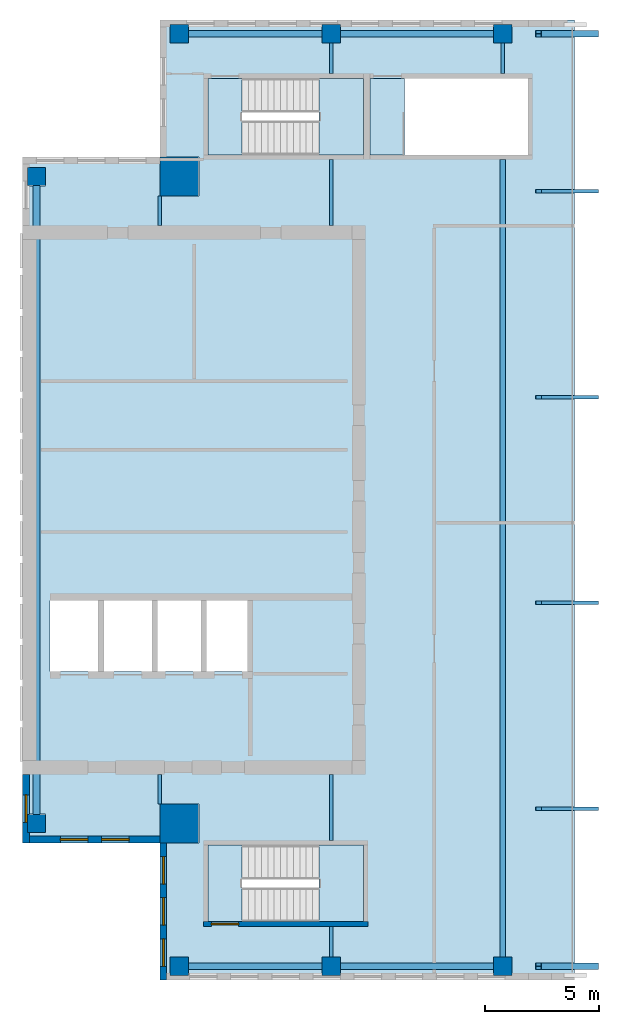
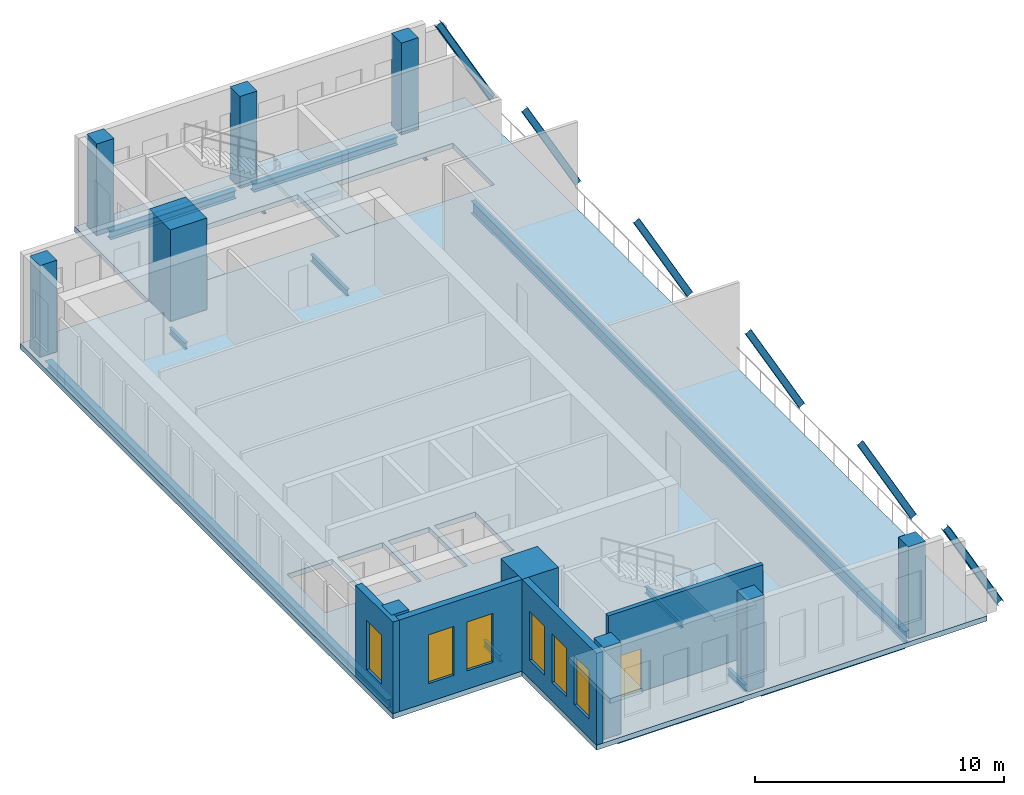
# One storey, part 1 of 5: 13 beams, 10 columns, 6 members, 6 slabs, 6 windows, 4 walls, 1 door, 7 openings, 2 elements without a shape of their own.
"""IFC4 building model written with IfcOpenShell, lengths in metres."""

from ifc_helpers import new_model, si_unit, direction, frame, frame_2d, origin, origin_2d, place, context, subcontext, project, spatial, polyline, rectangle, i_section, outline, extrude, source, transform, mapped, material, layer, layer_set, material_profile, profile_set, type_object, element, fill, aggregate, save


model = new_model("IFC4")

# Units and contexts
model_context = context("Model", 3, precision=1e-05, world=origin(), true_north=direction((0.0, 1.0)))
body_context = subcontext(model_context, "Body", "Model", "MODEL_VIEW")
ifc_project = project(units=[si_unit("LENGTHUNIT", "METRE"), si_unit("AREAUNIT", "SQUARE_METRE"), si_unit("VOLUMEUNIT", "CUBIC_METRE"), si_unit("PLANEANGLEUNIT", "RADIAN"), si_unit("MASSUNIT", "GRAM", prefix="KILO")], contexts=[model_context])

# Site, building, storey
site_placement = place(None, origin())
site = spatial("IfcSite", under=ifc_project, at=site_placement, CompositionType="ELEMENT")
building_placement = place(site_placement, origin())
building = spatial("IfcBuilding", under=site, at=building_placement, Name="Khomas Fold Tower", CompositionType="ELEMENT")
storey_placement = place(building_placement, frame((0.0, 0.0, 343.699951171875)))
storey = spatial("IfcBuildingStorey", under=building, at=storey_placement, Name="C4", CompositionType="ELEMENT", Elevation=343.699951171875)

# Columns
ifc_material_1 = material(Name="Concrete C60/75", Category="concrete")
ifc_material_profile_1 = material_profile(ifc_material_1, rectangle(XDim=1.699951171875, YDim=1.699951171875, at=origin_2d()), Name="RC 1700x1700")
ifc_profile_set_1 = profile_set([ifc_material_profile_1], Name="Concrete C60/75")
column_type_1 = type_object("IfcColumnType", Name="RC 1700x1700 column", PredefinedType="COLUMN", material=ifc_profile_set_1)
shared_shape_1 = source(origin(), body_context, "Body", "SweptSolid", [
    extrude(rectangle(XDim=1.699951171875, YDim=1.699951171875, at=origin_2d()), origin(), (0.0, 0.0, 1.0), 4.5),
])
for number, where, z_axis, x_axis, name in (
    (1, (12.85009765625, 41.14990234375, 0.0), (0.0, 0.0, 1.0), (1.0, 0.0, 0.0), "CM-NW"),
    (2, (12.85009765625, 12.85009765625, 0.0), (0.0, 0.0, 1.0), (1.0, 0.0, 0.0), "CM-SW"),
):
    element("IfcColumn", number, at=place(storey_placement, frame(where, z_axis=z_axis, x_axis=x_axis)), inside=storey, type_object=column_type_1, Name=name, PredefinedType="COLUMN", context=body_context, shape_type="MappedRepresentation", body=[
        mapped(shared_shape_1, transform((0.0, 0.0, 0.0))),
    ])
ifc_material_2 = material(Name="Concrete C50/60", Category="concrete")
ifc_material_profile_2 = material_profile(ifc_material_2, rectangle(XDim=0.800048828125, YDim=0.800048828125, at=origin_2d()), Name="RC 800x800")
ifc_profile_set_2 = profile_set([ifc_material_profile_2], Name="Concrete C50/60")
column_type_2 = type_object("IfcColumnType", Name="RC 800x800 column", PredefinedType="COLUMN", material=ifc_profile_set_2)
shared_shape_2 = source(origin(), body_context, "Body", "SweptSolid", [
    extrude(rectangle(XDim=0.800048828125, YDim=0.800048828125, at=origin_2d()), origin(), (0.0, 0.0, 1.0), 4.5),
])
for number, where, z_axis, x_axis, name in (
    (3, (12.85009765625, 6.60009765625, 0.0), (0.0, 0.0, 1.0), (1.0, 0.0, 0.0), "C-7-SF5"),
    (4, (19.5, 6.60009765625, 0.0), (0.0, 0.0, 1.0), (1.0, 0.0, 0.0), "C-8-SF5"),
    (5, (27.0, 6.60009765625, 0.0), (0.0, 0.0, 1.0), (1.0, 0.0, 0.0), "C-9-SF5"),
    (6, (12.85009765625, 47.39990234375, 0.0), (0.0, 0.0, 1.0), (1.0, 0.0, 0.0), "C-7-NF5"),
    (7, (19.5, 47.39990234375, 0.0), (0.0, 0.0, 1.0), (1.0, 0.0, 0.0), "C-8-NF5"),
    (8, (27.0, 47.39990234375, 0.0), (0.0, 0.0, 1.0), (1.0, 0.0, 0.0), "C-9-NF5"),
    (9, (6.60009765625, 12.85009765625, 0.0), (0.0, 0.0, 1.0), (1.0, 0.0, 0.0), "C-W5-G"),
    (10, (6.60009765625, 41.14990234375, 0.0), (0.0, 0.0, 1.0), (1.0, 0.0, 0.0), "C-W5-Q"),
):
    element("IfcColumn", number, at=place(storey_placement, frame(where, z_axis=z_axis, x_axis=x_axis)), inside=storey, type_object=column_type_2, Name=name, PredefinedType="COLUMN", context=body_context, shape_type="MappedRepresentation", body=[
        mapped(shared_shape_2, transform((0.0, 0.0, 0.0))),
    ])

# Beams
ifc_material_3 = material(Name="Steel S355", Category="steel")
ifc_material_profile_3 = material_profile(ifc_material_3, i_section(OverallWidth=0.159912109375, OverallDepth=0.330078125, WebThickness=0.007568359375, FlangeThickness=0.011474609375, at=origin_2d()), Name="IPE 330")
ifc_profile_set_3 = profile_set([ifc_material_profile_3], Name="Steel S355")
beam_type_1 = type_object("IfcBeamType", Name="IPE 330 beam JB1", PredefinedType="BEAM", material=ifc_profile_set_3)
shared_shape_3 = source(origin(), body_context, "Body", "SweptSolid", [
    extrude(i_section(OverallWidth=0.159912109375, OverallDepth=0.330078125, WebThickness=0.007568359375, FlangeThickness=0.011474609375, at=origin_2d()), origin(), (0.0, 0.0, 1.0), 2.89990234375),
])
for number, where, z_axis, x_axis, name in (
    (11, (19.5, 12.10009765625, -0.4150390625), (0.0, 1.0, 0.0), (-1.0, 0.0, 0.0), "JB1"),
    (12, (19.5, 39.0, -0.4150390625), (0.0, 1.0, 0.0), (-1.0, 0.0, 0.0), "JB1"),
):
    element("IfcBeam", number, at=place(storey_placement, frame(where, z_axis=z_axis, x_axis=x_axis)), inside=storey, type_object=beam_type_1, Name=name, PredefinedType="BEAM", context=body_context, shape_type="MappedRepresentation", body=[
        mapped(shared_shape_3, transform((0.0, 0.0, 0.0))),
    ])
shared_shape_4 = source(origin(), body_context, "Body", "SweptSolid", [
    extrude(i_section(OverallWidth=0.159912109375, OverallDepth=0.330078125, WebThickness=0.007568359375, FlangeThickness=0.011474609375, at=origin_2d()), origin(), (0.0, 0.0, 1.0), 1.35009765625),
])
for number, where, z_axis, x_axis, name in (
    (13, (19.5, 7.0, -0.4150390625), (0.0, 1.0, 0.0), (-1.0, 0.0, 0.0), "JB1"),
    (14, (19.5, 45.64990234375, -0.4150390625), (0.0, 1.0, 0.0), (-1.0, 0.0, 0.0), "JB1"),
    (15, (27.0, 45.64990234375, -0.4150390625), (0.0, 1.0, 0.0), (-1.0, 0.0, 0.0), "JB1"),
):
    element("IfcBeam", number, at=place(storey_placement, frame(where, z_axis=z_axis, x_axis=x_axis)), inside=storey, type_object=beam_type_1, Name=name, PredefinedType="BEAM", context=body_context, shape_type="MappedRepresentation", body=[
        mapped(shared_shape_4, transform((0.0, 0.0, 0.0))),
    ])
ifc_material_4 = material(Name="Steel S355", Category="steel")
ifc_material_profile_4 = material_profile(ifc_material_4, i_section(OverallWidth=0.300048828125, OverallDepth=0.39990234375, WebThickness=0.013427734375, FlangeThickness=0.02392578125, at=origin_2d()), Name="HE 400 B")
ifc_profile_set_4 = profile_set([ifc_material_profile_4], Name="Steel S355")
beam_type_2 = type_object("IfcBeamType", Name="HE 400 B spandrel SB5", PredefinedType="SPANDREL", material=ifc_profile_set_4)
shared_shape_5 = source(origin(), body_context, "Body", "SweptSolid", [
    extrude(i_section(OverallWidth=0.300048828125, OverallDepth=0.39990234375, WebThickness=0.013427734375, FlangeThickness=0.02392578125, at=origin_2d()), origin(), (0.0, 0.0, 1.0), 5.85009765625),
])
for number, where, z_axis, x_axis, name in (
    (16, (13.25, 6.60009765625, -0.449951171875), (1.0, 0.0, 0.0), (0.0, 1.0, 0.0), "SB5"),
    (17, (13.25, 47.39990234375, -0.449951171875), (1.0, 0.0, 0.0), (0.0, 1.0, 0.0), "SB5"),
):
    element("IfcBeam", number, at=place(storey_placement, frame(where, z_axis=z_axis, x_axis=x_axis)), inside=storey, type_object=beam_type_2, Name=name, PredefinedType="SPANDREL", context=body_context, shape_type="MappedRepresentation", body=[
        mapped(shared_shape_5, transform((0.0, 0.0, 0.0))),
    ])
shared_shape_6 = source(origin(), body_context, "Body", "SweptSolid", [
    extrude(i_section(OverallWidth=0.300048828125, OverallDepth=0.39990234375, WebThickness=0.013427734375, FlangeThickness=0.02392578125, at=origin_2d()), origin(), (0.0, 0.0, 1.0), 6.7001953125),
])
for number, where, z_axis, x_axis, name in (
    (18, (19.89990234375, 6.60009765625, -0.449951171875), (1.0, 0.0, 0.0), (0.0, 1.0, 0.0), "SB5"),
    (19, (19.89990234375, 47.39990234375, -0.449951171875), (1.0, 0.0, 0.0), (0.0, 1.0, 0.0), "SB5"),
):
    element("IfcBeam", number, at=place(storey_placement, frame(where, z_axis=z_axis, x_axis=x_axis)), inside=storey, type_object=beam_type_2, Name=name, PredefinedType="SPANDREL", context=body_context, shape_type="MappedRepresentation", body=[
        mapped(shared_shape_6, transform((0.0, 0.0, 0.0))),
    ])
shared_shape_7 = source(origin(), body_context, "Body", "SweptSolid", [
    extrude(i_section(OverallWidth=0.300048828125, OverallDepth=0.39990234375, WebThickness=0.013427734375, FlangeThickness=0.02392578125, at=origin_2d()), origin(), (0.0, 0.0, 1.0), 27.5),
])
beam_1_placement = place(storey_placement, frame((6.60009765625, 13.25, -0.449951171875), z_axis=(0.0, 1.0, 0.0), x_axis=(-1.0, 0.0, 0.0)))
element("IfcBeam", 20, at=beam_1_placement, inside=storey, type_object=beam_type_2, Name="SB5", PredefinedType="SPANDREL", context=body_context, shape_type="MappedRepresentation", body=[
    mapped(shared_shape_7, transform((0.0, 0.0, 0.0))),
])
shared_shape_8 = source(origin(), body_context, "Body", "SweptSolid", [
    extrude(i_section(OverallWidth=0.159912109375, OverallDepth=0.330078125, WebThickness=0.007568359375, FlangeThickness=0.011474609375, at=origin_2d()), origin(), (0.0, 0.0, 1.0), 1.300048828125),
])
for number, where, z_axis, x_axis, name in (
    (21, (12.0, 13.699951171875, -0.4150390625), (0.0, 1.0, 0.0), (-1.0, 0.0, 0.0), "JB1"),
    (22, (12.0, 39.0, -0.4150390625), (0.0, 1.0, 0.0), (-1.0, 0.0, 0.0), "JB1"),
):
    element("IfcBeam", number, at=place(storey_placement, frame(where, z_axis=z_axis, x_axis=x_axis)), inside=storey, type_object=beam_type_1, Name=name, PredefinedType="BEAM", context=body_context, shape_type="MappedRepresentation", body=[
        mapped(shared_shape_8, transform((0.0, 0.0, 0.0))),
    ])
ifc_material_5 = material(Name="Steel S355", Category="steel")
ifc_material_profile_5 = material_profile(ifc_material_5, i_section(OverallWidth=0.219970703125, OverallDepth=0.60009765625, WebThickness=0.011962890625, FlangeThickness=0.01904296875, at=origin_2d()), Name="IPE 600")
ifc_profile_set_5 = profile_set([ifc_material_profile_5], Name="Steel S355")
beam_type_3 = type_object("IfcBeamType", Name="IPE 600 beam JB7", PredefinedType="BEAM", material=ifc_profile_set_5)
shared_shape_9 = source(origin(), body_context, "Body", "SweptSolid", [
    extrude(i_section(OverallWidth=0.219970703125, OverallDepth=0.60009765625, WebThickness=0.011962890625, FlangeThickness=0.01904296875, at=origin_2d()), origin(), (0.0, 0.0, 1.0), 34.89990234375),
])
beam_2_placement = place(storey_placement, frame((27.0, 7.0, -0.550048828125), z_axis=(0.0, 1.0, 0.0), x_axis=(-1.0, 0.0, 0.0)))
element("IfcBeam", 23, at=beam_2_placement, inside=storey, type_object=beam_type_3, Name="JB7", PredefinedType="BEAM", context=body_context, shape_type="MappedRepresentation", body=[
    mapped(shared_shape_9, transform((0.0, 0.0, 0.0))),
])

# Members
ifc_material_6 = material(Name="Steel S355", Category="steel")
ifc_material_profile_6 = material_profile(ifc_material_6, i_section(OverallWidth=0.300048828125, OverallDepth=0.300048828125, WebThickness=0.010986328125, FlangeThickness=0.01904296875, at=origin_2d()), Name="HE 300 B")
ifc_profile_set_6 = profile_set([ifc_material_profile_6], Name="Steel S355")
member_type_1 = type_object("IfcMemberType", Name="ROOF RAFTER W C4 HE 300 B", PredefinedType="RAFTER", material=ifc_profile_set_6)
shared_shape_10 = source(origin(), body_context, "Body", "SweptSolid", [
    extrude(i_section(OverallWidth=0.300048828125, OverallDepth=0.300048828125, WebThickness=0.010986328125, FlangeThickness=0.01904296875, at=origin_2d()), origin(), (0.0, 0.0, 1.0), 5.142333984375),
])
for number, where, z_axis, x_axis, name in (
    (24, (31.05615234375, 6.60009765625, 0.0), (-0.483936852961, 0.0, 0.875102921002), (0.0, -1.0, 0.0), "CF-R1-W-C4"),
    (25, (31.05615234375, 47.39990234375, 0.0), (-0.483936852961, 0.0, 0.875102921002), (0.0, -1.0, 0.0), "CF-R1-W-C4"),
):
    element("IfcMember", number, at=place(storey_placement, frame(where, z_axis=z_axis, x_axis=x_axis)), inside=storey, type_object=member_type_1, Name=name, PredefinedType="RAFTER", context=body_context, shape_type="MappedRepresentation", body=[
        mapped(shared_shape_10, transform((0.0, 0.0, 0.0))),
    ])
ifc_material_7 = material(Name="Steel S355", Category="steel")
ifc_material_profile_7 = material_profile(ifc_material_7, i_section(OverallWidth=0.14990234375, OverallDepth=0.300048828125, WebThickness=0.007080078125, FlangeThickness=0.0107421875, at=origin_2d()), Name="IPE 300")
ifc_profile_set_7 = profile_set([ifc_material_profile_7], Name="Steel S355")
member_type_2 = type_object("IfcMemberType", Name="ROOF RAFTER W C4 IPE 300", PredefinedType="RAFTER", material=ifc_profile_set_7)
shared_shape_11 = source(origin(), body_context, "Body", "SweptSolid", [
    extrude(i_section(OverallWidth=0.14990234375, OverallDepth=0.300048828125, WebThickness=0.007080078125, FlangeThickness=0.0107421875, at=origin_2d()), origin(), (0.0, 0.0, 1.0), 5.142333984375),
])
for number, where, z_axis, x_axis, name in (
    (26, (31.05615234375, 13.5, 0.0), (-0.483936852961, 0.0, 0.875102921002), (0.0, -1.0, 0.0), "CF-R2-W-C4"),
    (27, (31.05615234375, 22.5, 0.0), (-0.483936852961, 0.0, 0.875102921002), (0.0, -1.0, 0.0), "CF-R2-W-C4"),
    (28, (31.05615234375, 31.5, 0.0), (-0.483936852961, 0.0, 0.875102921002), (0.0, -1.0, 0.0), "CF-R2-W-C4"),
    (29, (31.05615234375, 40.5, 0.0), (-0.483936852961, 0.0, 0.875102921002), (0.0, -1.0, 0.0), "CF-R2-W-C4"),
):
    element("IfcMember", number, at=place(storey_placement, frame(where, z_axis=z_axis, x_axis=x_axis)), inside=storey, type_object=member_type_2, Name=name, PredefinedType="RAFTER", context=body_context, shape_type="MappedRepresentation", body=[
        mapped(shared_shape_11, transform((0.0, 0.0, 0.0))),
    ])

# Slab
ifc_material_8 = material(Name="Concrete C40/50", Category="concrete")
ifc_layer_1 = layer(ifc_material_8, 0.25)
ifc_layer_set_1 = layer_set([ifc_layer_1], Name="Concrete C40/50")
slab_type_1 = type_object("IfcSlabType", Name="RC floor slab 250", PredefinedType="FLOOR", material=ifc_layer_set_1)
shared_shape_12 = source(origin(), body_context, "Body", "SweptSolid", [
    extrude(outline(polyline([(6.0, 12.0), (11.9951171875, 12.0), (11.9951171875, 13.705078125), (13.705078125, 13.705078125), (13.705078125, 11.9951171875), (12.0, 11.9951171875), (12.0, 6.0), (30.13818359375, 6.0), (30.13818359375, 48.0), (12.0, 48.0), (12.0, 42.0048828125), (13.705078125, 42.0048828125), (13.705078125, 40.294921875), (11.9951171875, 40.294921875), (11.9951171875, 42.0), (6.0, 42.0), (6.0, 12.0)]), holes=[polyline([(6.195068359375, 12.445068359375), (6.195068359375, 13.2548828125), (7.0048828125, 13.2548828125), (7.0048828125, 12.445068359375), (6.195068359375, 12.445068359375)]), polyline([(6.195068359375, 40.7451171875), (6.195068359375, 41.554931640625), (7.0048828125, 41.554931640625), (7.0048828125, 40.7451171875), (6.195068359375, 40.7451171875)]), polyline([(7.199951171875, 19.5), (7.199951171875, 22.60009765625), (9.300048828125, 22.60009765625), (9.300048828125, 19.5), (7.199951171875, 19.5)]), polyline([(9.550048828125, 19.5), (9.550048828125, 22.60009765625), (11.64990234375, 22.60009765625), (11.64990234375, 19.5), (9.550048828125, 19.5)]), polyline([(11.89990234375, 19.5), (11.89990234375, 22.60009765625), (13.800048828125, 22.60009765625), (13.800048828125, 19.5), (11.89990234375, 19.5)]), polyline([(12.445068359375, 6.195068359375), (12.445068359375, 7.0048828125), (13.2548828125, 7.0048828125), (13.2548828125, 6.195068359375), (12.445068359375, 6.195068359375)]), polyline([(12.445068359375, 46.9951171875), (12.445068359375, 47.804931640625), (13.2548828125, 47.804931640625), (13.2548828125, 46.9951171875), (12.445068359375, 46.9951171875)]), polyline([(14.050048828125, 19.5), (14.050048828125, 22.60009765625), (15.949951171875, 22.60009765625), (15.949951171875, 19.5), (14.050048828125, 19.5)]), polyline([(14.10009765625, 8.550048828125), (14.10009765625, 11.89990234375), (20.89990234375, 11.89990234375), (20.89990234375, 8.550048828125), (14.10009765625, 8.550048828125)]), polyline([(14.10009765625, 42.10009765625), (14.10009765625, 45.449951171875), (20.89990234375, 45.449951171875), (20.89990234375, 42.10009765625), (14.10009765625, 42.10009765625)]), polyline([(19.094970703125, 6.195068359375), (19.094970703125, 7.0048828125), (19.905029296875, 7.0048828125), (19.905029296875, 6.195068359375), (19.094970703125, 6.195068359375)]), polyline([(19.094970703125, 46.9951171875), (19.094970703125, 47.804931640625), (19.905029296875, 47.804931640625), (19.905029296875, 46.9951171875), (19.094970703125, 46.9951171875)]), polyline([(21.199951171875, 42.10009765625), (21.199951171875, 45.449951171875), (28.10009765625, 45.449951171875), (28.10009765625, 42.10009765625), (21.199951171875, 42.10009765625)]), polyline([(26.594970703125, 6.195068359375), (26.594970703125, 7.0048828125), (27.405029296875, 7.0048828125), (27.405029296875, 6.195068359375), (26.594970703125, 6.195068359375)]), polyline([(26.594970703125, 46.9951171875), (26.594970703125, 47.804931640625), (27.405029296875, 47.804931640625), (27.405029296875, 46.9951171875), (26.594970703125, 46.9951171875)])]), origin(), (0.0, 0.0, 1.0), 0.25),
])
slab_1_placement = place(storey_placement, frame((0.0, 0.0, -0.25)))
element("IfcSlab", 30, at=slab_1_placement, inside=storey, type_object=slab_type_1, Name="S-C4", PredefinedType="FLOOR", context=body_context, shape_type="MappedRepresentation", body=[
    mapped(shared_shape_12, transform((0.0, 0.0, 0.0))),
])

# Stair, slab
ifc_material_9 = material(Name="Concrete C40/50", Category="concrete")
stair_type_1 = type_object("IfcStairType", Name="Stair ST1", PredefinedType="HALF_TURN_STAIR", material=ifc_material_9)
stair_1_placement = place(storey_placement, origin())
stair_1 = element("IfcStair", 31, at=stair_1_placement, inside=storey, type_object=stair_type_1, Name="C4 ST1", PredefinedType="HALF_TURN_STAIR")
ifc_material_10 = material(Name="Concrete C40/50", Category="concrete")
ifc_layer_2 = layer(ifc_material_10, 0.199951171875)
ifc_layer_set_2 = layer_set([ifc_layer_2], Name="Concrete C40/50")
slab_type_2 = type_object("IfcSlabType", Name="Stair landing 200", PredefinedType="LANDING", material=ifc_layer_set_2)
shared_shape_13 = source(origin(), body_context, "Body", "SweptSolid", [
    extrude(outline(polyline([(18.9599609375, 42.10009765625), (20.89990234375, 42.10009765625), (20.89990234375, 45.449951171875), (18.9599609375, 45.449951171875), (18.9599609375, 42.10009765625)])), origin(), (0.0, 0.0, 1.0), 0.199951171875),
])
slab_2_placement = place(storey_placement, frame((0.0, 0.0, 2.050048828125)))
slab_2 = element("IfcSlab", 32, at=slab_2_placement, type_object=slab_type_2, Name="ST1 landing 1", PredefinedType="LANDING", context=body_context, shape_type="MappedRepresentation", body=[
    mapped(shared_shape_13, transform((0.0, 0.0, 0.0))),
])
aggregate(stair_1, [slab_2])

# Slab
ifc_material_11 = material(Name="Concrete C40/50", Category="concrete")
ifc_layer_3 = layer(ifc_material_11, 0.25)
ifc_layer_set_3 = layer_set([ifc_layer_3], Name="Concrete C40/50")
slab_type_3 = type_object("IfcSlabType", Name="Stair floor landing 250", PredefinedType="LANDING", material=ifc_layer_set_3)
shared_shape_14 = source(origin(), body_context, "Body", "SweptSolid", [
    extrude(outline(polyline([(14.10009765625, 45.449951171875), (15.60009765625, 45.449951171875), (15.60009765625, 42.10009765625), (14.10009765625, 42.10009765625), (14.10009765625, 45.449951171875)])), origin(), (0.0, 0.0, 1.0), 0.25),
])
slab_3_placement = place(storey_placement, frame((0.0, 0.0, -0.25)))
element("IfcSlab", 33, at=slab_3_placement, inside=storey, type_object=slab_type_3, Name="ST1 floor landing", PredefinedType="LANDING", context=body_context, shape_type="MappedRepresentation", body=[
    mapped(shared_shape_14, transform((0.0, 0.0, 0.0))),
])

# Stair, slab
ifc_material_12 = material(Name="Concrete C40/50", Category="concrete")
stair_type_2 = type_object("IfcStairType", Name="Stair ST2", PredefinedType="HALF_TURN_STAIR", material=ifc_material_12)
stair_2_placement = place(storey_placement, origin())
stair_2 = element("IfcStair", 34, at=stair_2_placement, inside=storey, type_object=stair_type_2, Name="C4 ST2", PredefinedType="HALF_TURN_STAIR")
shared_shape_15 = source(origin(), body_context, "Body", "SweptSolid", [
    extrude(outline(polyline([(18.9599609375, 8.550048828125), (20.89990234375, 8.550048828125), (20.89990234375, 11.89990234375), (18.9599609375, 11.89990234375), (18.9599609375, 8.550048828125)])), origin(), (0.0, 0.0, 1.0), 0.199951171875),
])
slab_4_placement = place(storey_placement, frame((0.0, 0.0, 2.050048828125)))
slab_4 = element("IfcSlab", 35, at=slab_4_placement, type_object=slab_type_2, Name="ST2 landing 1", PredefinedType="LANDING", context=body_context, shape_type="MappedRepresentation", body=[
    mapped(shared_shape_15, transform((0.0, 0.0, 0.0))),
])
aggregate(stair_2, [slab_4])

# Slabs
shared_shape_16 = source(origin(), body_context, "Body", "SweptSolid", [
    extrude(outline(polyline([(14.10009765625, 11.89990234375), (15.60009765625, 11.89990234375), (15.60009765625, 8.550048828125), (14.10009765625, 8.550048828125), (14.10009765625, 11.89990234375)])), origin(), (0.0, 0.0, 1.0), 0.25),
])
slab_5_placement = place(storey_placement, frame((0.0, 0.0, -0.25)))
element("IfcSlab", 36, at=slab_5_placement, inside=storey, type_object=slab_type_3, Name="ST2 floor landing", PredefinedType="LANDING", context=body_context, shape_type="MappedRepresentation", body=[
    mapped(shared_shape_16, transform((0.0, 0.0, 0.0))),
])
shared_shape_17 = source(origin(), body_context, "Body", "SweptSolid", [
    extrude(outline(polyline([(21.199951171875, 45.449951171875), (22.699951171875, 45.449951171875), (22.699951171875, 42.10009765625), (21.199951171875, 42.10009765625), (21.199951171875, 45.449951171875)])), origin(), (0.0, 0.0, 1.0), 0.25),
])
slab_6_placement = place(storey_placement, frame((0.0, 0.0, -0.25)))
element("IfcSlab", 37, at=slab_6_placement, inside=storey, type_object=slab_type_3, Name="ST3 floor landing", PredefinedType="LANDING", context=body_context, shape_type="MappedRepresentation", body=[
    mapped(shared_shape_17, transform((0.0, 0.0, 0.0))),
])

# Wall, opening, door
ifc_material_13 = material(Name="Concrete C50/60", Category="concrete")
ifc_layer_4 = layer(ifc_material_13, 0.199951171875)
ifc_layer_set_4 = layer_set([ifc_layer_4], Name="Concrete C50/60")
wall_type_1 = type_object("IfcWallType", Name="Stair wall 200", PredefinedType="SHEAR", material=ifc_layer_set_4)
shared_shape_18 = source(origin(), body_context, "Body", "SweptSolid", [
    extrude(rectangle(XDim=7.2001953125, YDim=0.199951171875, at=frame_2d((3.60009765625, 0.0))), origin(), (0.0, 0.0, 1.0), 4.25),
])
wall_1_placement = place(storey_placement, frame((13.89990234375, 8.449951171875, 0.0), z_axis=(0.0, 0.0, 1.0), x_axis=(1.0, 0.0, 0.0)))
wall_1 = element("IfcWall", 38, at=wall_1_placement, inside=storey, type_object=wall_type_1, Name="Stair wall SW-ST2-S", PredefinedType="SHEAR", context=body_context, shape_type="MappedRepresentation", body=[
    mapped(shared_shape_18, transform((0.0, 0.0, 0.0))),
])
shared_shape_19 = source(origin(), body_context, "Body", "SweptSolid", [
    extrude(rectangle(XDim=1.199951171875, YDim=2.10009765625, at=frame_2d((0.60009765625, 1.050048828125))), frame((0.0, 0.10986328125, 0.0), z_axis=(0.0, -1.0, 0.0), x_axis=(1.0, 0.0, 0.0)), (0.0, 0.0, 1.0), 0.219970703125),
])
opening_1_placement = place(wall_1_placement, frame((0.35009765625, 0.0, 0.0)))
opening_1 = element("IfcOpeningElement", 39, at=opening_1_placement, cuts=wall_1, Name="Opening SD-ST2", PredefinedType="OPENING", context=body_context, shape_type="MappedRepresentation", body=[
    mapped(shared_shape_19, transform((0.0, 0.0, 0.0))),
])
ifc_material_14 = material(Name="Steel door leaf", Category="steel")
door_type = type_object("IfcDoorType", Name="Stair door 1200x2100 right-hand", OperationType="SINGLE_SWING_RIGHT", PredefinedType="DOOR", material=ifc_material_14)
shared_shape_20 = source(origin(), body_context, "Body", "SweptSolid", [
    extrude(rectangle(XDim=1.199951171875, YDim=2.10009765625, at=frame_2d((0.60009765625, 1.050048828125))), frame((0.0, 0.02490234375, 0.0), z_axis=(0.0, -1.0, 0.0), x_axis=(1.0, 0.0, 0.0)), (0.0, 0.0, 1.0), 0.050048828125),
])
door_placement = place(opening_1_placement, origin())
door = element("IfcDoor", 40, at=door_placement, inside=storey, type_object=door_type, Name="Stair door", OperationType="SINGLE_SWING_RIGHT", OverallHeight=2.10009765625, OverallWidth=1.199951171875, PredefinedType="DOOR", context=body_context, shape_type="MappedRepresentation", body=[
    mapped(shared_shape_20, transform((0.0, 0.0, 0.0))),
])
fill(opening_1, door)

# Wall, openings, windows
ifc_material_15 = material(Name="Concrete C40/50", Category="concrete")
ifc_layer_5 = layer(ifc_material_15, 0.300048828125)
ifc_layer_set_5 = layer_set([ifc_layer_5], Name="Concrete C40/50")
wall_type_2 = type_object("IfcWallType", Name="Crown gable wall 300 CR-GW1", PredefinedType="SOLIDWALL", material=ifc_layer_set_5)
shared_shape_21 = source(origin(), body_context, "Body", "SweptSolid", [
    extrude(rectangle(XDim=5.699951171875, YDim=0.300048828125, at=frame_2d((2.85009765625, 0.0))), origin(), (0.0, 0.0, 1.0), 4.5),
])
wall_2_placement = place(storey_placement, frame((6.300048828125, 12.14990234375, 0.0), z_axis=(0.0, 0.0, 1.0), x_axis=(1.0, 0.0, 0.0)))
wall_2 = element("IfcWall", 41, at=wall_2_placement, inside=storey, type_object=wall_type_2, Name="Crown wall", PredefinedType="SOLIDWALL", context=body_context, shape_type="MappedRepresentation", body=[
    mapped(shared_shape_21, transform((0.0, 0.0, 0.0))),
])
shared_shape_22 = source(origin(), body_context, "Body", "SweptSolid", [
    extrude(rectangle(XDim=1.199951171875, YDim=2.39990234375, at=frame_2d((0.60009765625, 1.199951171875))), frame((0.0, 0.159912109375, 0.0), z_axis=(0.0, -1.0, 0.0), x_axis=(1.0, 0.0, 0.0)), (0.0, 0.0, 1.0), 0.320068359375),
])
opening_2_placement = place(wall_2_placement, frame((1.35009765625, 0.0, 0.89990234375)))
opening_2 = element("IfcOpeningElement", 42, at=opening_2_placement, cuts=wall_2, Name="Opening CR-LV", PredefinedType="OPENING", context=body_context, shape_type="MappedRepresentation", body=[
    mapped(shared_shape_22, transform((0.0, 0.0, 0.0))),
])
opening_3_placement = place(wall_2_placement, frame((3.14990234375, 0.0, 0.89990234375)))
opening_3 = element("IfcOpeningElement", 43, at=opening_3_placement, cuts=wall_2, Name="Opening CR-LV", PredefinedType="OPENING", context=body_context, shape_type="MappedRepresentation", body=[
    mapped(shared_shape_22, transform((0.0, 0.0, 0.0))),
])
ifc_material_16 = material(Name="Aluminium louvre", Category="aluminium")
window_type = type_object("IfcWindowType", Name="Crown plant louvre 1200 x 2400", PartitioningType="SINGLE_PANEL", PredefinedType="WINDOW", material=ifc_material_16)
shared_shape_23 = source(origin(), body_context, "Body", "SweptSolid", [
    extrude(rectangle(XDim=1.199951171875, YDim=2.39990234375, at=frame_2d((0.60009765625, 1.199951171875))), frame((0.0, 0.030029296875, 0.0), z_axis=(0.0, -1.0, 0.0), x_axis=(1.0, 0.0, 0.0)), (0.0, 0.0, 1.0), 0.06005859375),
])
window_1_placement = place(opening_2_placement, origin())
window_1 = element("IfcWindow", 44, at=window_1_placement, inside=storey, type_object=window_type, Name="Crown plant louvre", OverallHeight=2.39990234375, OverallWidth=1.199951171875, PartitioningType="SINGLE_PANEL", PredefinedType="WINDOW", context=body_context, shape_type="MappedRepresentation", body=[
    mapped(shared_shape_23, transform((0.0, 0.0, 0.0))),
])
fill(opening_2, window_1)
window_2_placement = place(opening_3_placement, origin())
window_2 = element("IfcWindow", 45, at=window_2_placement, inside=storey, type_object=window_type, Name="Crown plant louvre", OverallHeight=2.39990234375, OverallWidth=1.199951171875, PartitioningType="SINGLE_PANEL", PredefinedType="WINDOW", context=body_context, shape_type="MappedRepresentation", body=[
    mapped(shared_shape_23, transform((0.0, 0.0, 0.0))),
])
fill(opening_3, window_2)

shared_shape_24 = source(origin(), body_context, "Body", "SweptSolid", [
    extrude(rectangle(XDim=6.0, YDim=0.300048828125, at=frame_2d((3.0, 0.0))), origin(), (0.0, 0.0, 1.0), 4.5),
])
wall_3_placement = place(storey_placement, frame((12.14990234375, 12.0, 0.0), z_axis=(0.0, 0.0, 1.0), x_axis=(0.0, -1.0, 0.0)))
wall_3 = element("IfcWall", 46, at=wall_3_placement, inside=storey, type_object=wall_type_2, Name="Crown wall", PredefinedType="SOLIDWALL", context=body_context, shape_type="MappedRepresentation", body=[
    mapped(shared_shape_24, transform((0.0, 0.0, 0.0))),
])
opening_4_placement = place(wall_3_placement, frame((0.60009765625, 0.0, 0.89990234375)))
opening_4 = element("IfcOpeningElement", 47, at=opening_4_placement, cuts=wall_3, Name="Opening CR-LV", PredefinedType="OPENING", context=body_context, shape_type="MappedRepresentation", body=[
    mapped(shared_shape_22, transform((0.0, 0.0, 0.0))),
])
opening_5_placement = place(wall_3_placement, frame((2.39990234375, 0.0, 0.89990234375)))
opening_5 = element("IfcOpeningElement", 48, at=opening_5_placement, cuts=wall_3, Name="Opening CR-LV", PredefinedType="OPENING", context=body_context, shape_type="MappedRepresentation", body=[
    mapped(shared_shape_22, transform((0.0, 0.0, 0.0))),
])
opening_6_placement = place(wall_3_placement, frame((4.199951171875, 0.0, 0.89990234375)))
opening_6 = element("IfcOpeningElement", 49, at=opening_6_placement, cuts=wall_3, Name="Opening CR-LV", PredefinedType="OPENING", context=body_context, shape_type="MappedRepresentation", body=[
    mapped(shared_shape_22, transform((0.0, 0.0, 0.0))),
])
window_3_placement = place(opening_4_placement, origin())
window_3 = element("IfcWindow", 50, at=window_3_placement, inside=storey, type_object=window_type, Name="Crown plant louvre", OverallHeight=2.39990234375, OverallWidth=1.199951171875, PartitioningType="SINGLE_PANEL", PredefinedType="WINDOW", context=body_context, shape_type="MappedRepresentation", body=[
    mapped(shared_shape_23, transform((0.0, 0.0, 0.0))),
])
fill(opening_4, window_3)
window_4_placement = place(opening_5_placement, origin())
window_4 = element("IfcWindow", 51, at=window_4_placement, inside=storey, type_object=window_type, Name="Crown plant louvre", OverallHeight=2.39990234375, OverallWidth=1.199951171875, PartitioningType="SINGLE_PANEL", PredefinedType="WINDOW", context=body_context, shape_type="MappedRepresentation", body=[
    mapped(shared_shape_23, transform((0.0, 0.0, 0.0))),
])
fill(opening_5, window_4)
window_5_placement = place(opening_6_placement, origin())
window_5 = element("IfcWindow", 52, at=window_5_placement, inside=storey, type_object=window_type, Name="Crown plant louvre", OverallHeight=2.39990234375, OverallWidth=1.199951171875, PartitioningType="SINGLE_PANEL", PredefinedType="WINDOW", context=body_context, shape_type="MappedRepresentation", body=[
    mapped(shared_shape_23, transform((0.0, 0.0, 0.0))),
])
fill(opening_6, window_5)

# Wall, opening, window
shared_shape_25 = source(origin(), body_context, "Body", "SweptSolid", [
    extrude(rectangle(XDim=3.0, YDim=0.300048828125, at=frame_2d((1.5, 0.0))), origin(), (0.0, 0.0, 1.0), 4.5),
])
wall_4_placement = place(storey_placement, frame((6.14990234375, 15.0, 0.0), z_axis=(0.0, 0.0, 1.0), x_axis=(0.0, -1.0, 0.0)))
wall_4 = element("IfcWall", 53, at=wall_4_placement, inside=storey, type_object=wall_type_2, Name="Crown wall", PredefinedType="SOLIDWALL", context=body_context, shape_type="MappedRepresentation", body=[
    mapped(shared_shape_25, transform((0.0, 0.0, 0.0))),
])
opening_7_placement = place(wall_4_placement, frame((0.89990234375, 0.0, 0.89990234375)))
opening_7 = element("IfcOpeningElement", 54, at=opening_7_placement, cuts=wall_4, Name="Opening CR-LV", PredefinedType="OPENING", context=body_context, shape_type="MappedRepresentation", body=[
    mapped(shared_shape_22, transform((0.0, 0.0, 0.0))),
])
window_6_placement = place(opening_7_placement, origin())
window_6 = element("IfcWindow", 55, at=window_6_placement, inside=storey, type_object=window_type, Name="Crown plant louvre", OverallHeight=2.39990234375, OverallWidth=1.199951171875, PartitioningType="SINGLE_PANEL", PredefinedType="WINDOW", context=body_context, shape_type="MappedRepresentation", body=[
    mapped(shared_shape_23, transform((0.0, 0.0, 0.0))),
])
fill(opening_7, window_6)

save(model, "model.ifc")
